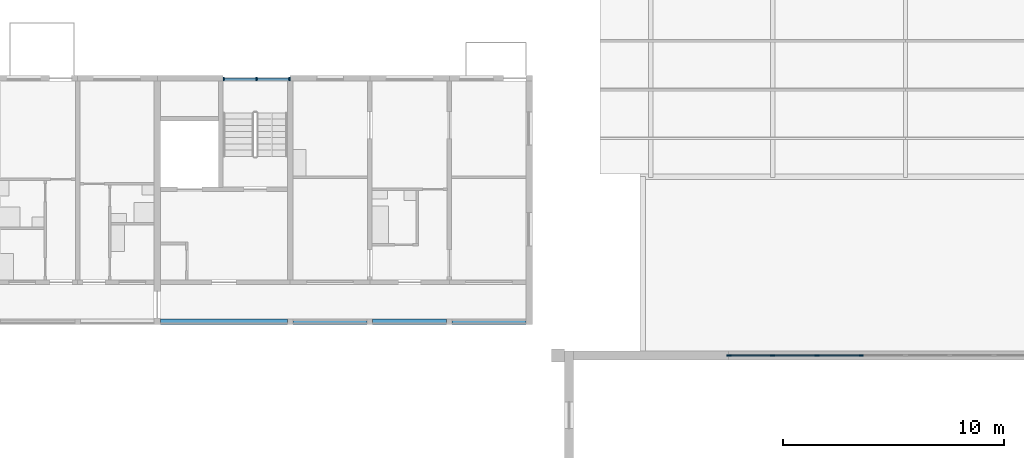
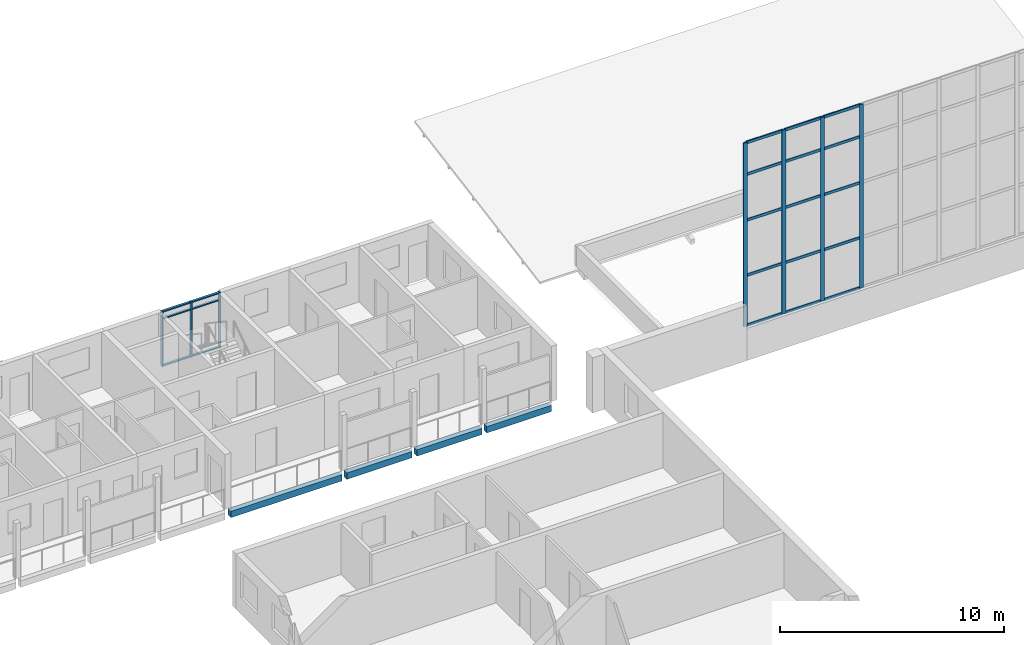
# One storey, part 19 of 122: 28 members, 4 beams, 2 elements without a shape of their own.
"""IFC4 building model written with IfcOpenShell, lengths in metres."""

from ifc_helpers import new_model, si_unit, direction, frame, origin, origin_2d, place, context, subcontext, project, spatial, rectangle, extrude, material, layer, layer_set, material_profile, profile_set, type_object, element, aggregate, save


model = new_model("IFC4")

# Units and contexts
model_context = context("Model", 3, precision=1e-05, world=origin(), true_north=direction((0.0, 1.0)))
body_context = subcontext(model_context, "Body", "Model", "MODEL_VIEW")
ifc_project = project(units=[si_unit("LENGTHUNIT", "METRE"), si_unit("AREAUNIT", "SQUARE_METRE"), si_unit("VOLUMEUNIT", "CUBIC_METRE"), si_unit("PLANEANGLEUNIT", "RADIAN"), si_unit("MASSUNIT", "GRAM", prefix="KILO")], contexts=[model_context])

# Site, building, storey
site_placement = place(None, origin())
site = spatial("IfcSite", under=ifc_project, at=site_placement, CompositionType="ELEMENT")
building_placement = place(site_placement, origin())
building = spatial("IfcBuilding", under=site, at=building_placement, Name="Ridgestep Commons", CompositionType="ELEMENT")
storey_placement = place(building_placement, frame((0.0, 0.0, 3.0)))
storey = spatial("IfcBuildingStorey", under=building, at=storey_placement, Name="L01", CompositionType="ELEMENT", Elevation=3.0)

# Curtain wall, members
ifc_material_1 = material(Name="Aluminium and glass", Category="aluminium")
ifc_layer = layer(ifc_material_1, 0.199951171875)
ifc_layer_set = layer_set([ifc_layer], Name="Hall gable curtain wall")
curtain_wall_type_1 = type_object("IfcCurtainWallType", Name="Hall gable curtain wall", PredefinedType="NOTDEFINED", material=ifc_layer_set)
curtain_wall_1_placement = place(storey_placement, origin())
curtain_wall_1 = element("IfcCurtainWall", 1, at=curtain_wall_1_placement, inside=storey, type_object=curtain_wall_type_1, Name="Hall gable curtain wall", PredefinedType="NOTDEFINED")
ifc_material_2 = material(Name="Aluminium", Category="aluminium")
ifc_material_profile_1 = material_profile(ifc_material_2, rectangle(XDim=0.06005859375, YDim=0.199951171875, at=origin_2d()), Name="Hall mullion 60 x 200")
ifc_profile_set_1 = profile_set([ifc_material_profile_1], Name="Aluminium")
member_type_1 = type_object("IfcMemberType", Name="Hall mullion 60 x 200", PredefinedType="MULLION", material=ifc_profile_set_1)
member_1_placement = place(storey_placement, frame((121.830078125, 64.60009765625, 1.75), z_axis=(0.0, 0.0, 1.0), x_axis=(0.0, 1.0, 0.0)))
member_1 = element("IfcMember", 2, at=member_1_placement, type_object=member_type_1, Name="CW4 mullion 1", PredefinedType="MULLION", context=body_context, shape_type="SweptSolid", body=[
    extrude(rectangle(XDim=0.06005859375, YDim=0.199951171875, at=origin_2d()), origin(), (0.0, 0.0, 1.0), 10.0),
])
member_2_placement = place(storey_placement, frame((123.800048828125, 64.60009765625, 1.75), z_axis=(0.0, 0.0, 1.0), x_axis=(0.0, 1.0, 0.0)))
member_2 = element("IfcMember", 3, at=member_2_placement, type_object=member_type_1, Name="CW4 mullion 2", PredefinedType="MULLION", context=body_context, shape_type="SweptSolid", body=[
    extrude(rectangle(XDim=0.06005859375, YDim=0.199951171875, at=origin_2d()), origin(), (0.0, 0.0, 1.0), 10.0),
])
member_3_placement = place(storey_placement, frame((125.800048828125, 64.60009765625, 1.75), z_axis=(0.0, 0.0, 1.0), x_axis=(0.0, 1.0, 0.0)))
member_3 = element("IfcMember", 4, at=member_3_placement, type_object=member_type_1, Name="CW4 mullion 3", PredefinedType="MULLION", context=body_context, shape_type="SweptSolid", body=[
    extrude(rectangle(XDim=0.06005859375, YDim=0.199951171875, at=origin_2d()), origin(), (0.0, 0.0, 1.0), 10.0),
])
member_4_placement = place(storey_placement, frame((127.800048828125, 64.60009765625, 1.75), z_axis=(0.0, 0.0, 1.0), x_axis=(0.0, 1.0, 0.0)))
member_4 = element("IfcMember", 5, at=member_4_placement, type_object=member_type_1, Name="CW4 mullion 4", PredefinedType="MULLION", context=body_context, shape_type="SweptSolid", body=[
    extrude(rectangle(XDim=0.06005859375, YDim=0.199951171875, at=origin_2d()), origin(), (0.0, 0.0, 1.0), 10.0),
])
ifc_material_3 = material(Name="Aluminium", Category="aluminium")
ifc_material_profile_2 = material_profile(ifc_material_3, rectangle(XDim=0.06005859375, YDim=0.14990234375, at=origin_2d()), Name="Hall transom 60 x 150")
ifc_profile_set_2 = profile_set([ifc_material_profile_2], Name="Aluminium")
member_type_2 = type_object("IfcMemberType", Name="Hall transom 60 x 150", PredefinedType="USERDEFINED", material=ifc_profile_set_2)
member_5_placement = place(storey_placement, frame((121.860107421875, 64.60009765625, 1.780029296875), z_axis=(1.0, 0.0, 0.0), x_axis=(0.0, 1.0, 0.0)))
member_5 = element("IfcMember", 6, at=member_5_placement, type_object=member_type_2, Name="CW4 transom 1.1", ObjectType="TRANSOM", PredefinedType="USERDEFINED", context=body_context, shape_type="SweptSolid", body=[
    extrude(rectangle(XDim=0.06005859375, YDim=0.14990234375, at=origin_2d()), origin(), (0.0, 0.0, 1.0), 1.909912109375),
])
member_6_placement = place(storey_placement, frame((121.860107421875, 64.60009765625, 4.5), z_axis=(1.0, 0.0, 0.0), x_axis=(0.0, 1.0, 0.0)))
member_6 = element("IfcMember", 7, at=member_6_placement, type_object=member_type_2, Name="CW4 transom 1.2", ObjectType="TRANSOM", PredefinedType="USERDEFINED", context=body_context, shape_type="SweptSolid", body=[
    extrude(rectangle(XDim=0.06005859375, YDim=0.14990234375, at=origin_2d()), origin(), (0.0, 0.0, 1.0), 1.909912109375),
])
member_7_placement = place(storey_placement, frame((121.860107421875, 64.60009765625, 7.5), z_axis=(1.0, 0.0, 0.0), x_axis=(0.0, 1.0, 0.0)))
member_7 = element("IfcMember", 8, at=member_7_placement, type_object=member_type_2, Name="CW4 transom 1.3", ObjectType="TRANSOM", PredefinedType="USERDEFINED", context=body_context, shape_type="SweptSolid", body=[
    extrude(rectangle(XDim=0.06005859375, YDim=0.14990234375, at=origin_2d()), origin(), (0.0, 0.0, 1.0), 1.909912109375),
])
member_8_placement = place(storey_placement, frame((121.860107421875, 64.60009765625, 10.0), z_axis=(1.0, 0.0, 0.0), x_axis=(0.0, 1.0, 0.0)))
member_8 = element("IfcMember", 9, at=member_8_placement, type_object=member_type_2, Name="CW4 transom 1.4", ObjectType="TRANSOM", PredefinedType="USERDEFINED", context=body_context, shape_type="SweptSolid", body=[
    extrude(rectangle(XDim=0.06005859375, YDim=0.14990234375, at=origin_2d()), origin(), (0.0, 0.0, 1.0), 1.909912109375),
])
member_9_placement = place(storey_placement, frame((121.860107421875, 64.60009765625, 11.719970703125), z_axis=(1.0, 0.0, 0.0), x_axis=(0.0, 1.0, 0.0)))
member_9 = element("IfcMember", 10, at=member_9_placement, type_object=member_type_2, Name="CW4 transom 1.5", ObjectType="TRANSOM", PredefinedType="USERDEFINED", context=body_context, shape_type="SweptSolid", body=[
    extrude(rectangle(XDim=0.06005859375, YDim=0.14990234375, at=origin_2d()), origin(), (0.0, 0.0, 1.0), 1.909912109375),
])
member_10_placement = place(storey_placement, frame((123.830078125, 64.60009765625, 1.780029296875), z_axis=(1.0, 0.0, 0.0), x_axis=(0.0, 1.0, 0.0)))
member_10 = element("IfcMember", 11, at=member_10_placement, type_object=member_type_2, Name="CW4 transom 2.1", ObjectType="TRANSOM", PredefinedType="USERDEFINED", context=body_context, shape_type="SweptSolid", body=[
    extrude(rectangle(XDim=0.06005859375, YDim=0.14990234375, at=origin_2d()), origin(), (0.0, 0.0, 1.0), 1.93994140625),
])
member_11_placement = place(storey_placement, frame((123.830078125, 64.60009765625, 4.5), z_axis=(1.0, 0.0, 0.0), x_axis=(0.0, 1.0, 0.0)))
member_11 = element("IfcMember", 12, at=member_11_placement, type_object=member_type_2, Name="CW4 transom 2.2", ObjectType="TRANSOM", PredefinedType="USERDEFINED", context=body_context, shape_type="SweptSolid", body=[
    extrude(rectangle(XDim=0.06005859375, YDim=0.14990234375, at=origin_2d()), origin(), (0.0, 0.0, 1.0), 1.93994140625),
])
member_12_placement = place(storey_placement, frame((123.830078125, 64.60009765625, 7.5), z_axis=(1.0, 0.0, 0.0), x_axis=(0.0, 1.0, 0.0)))
member_12 = element("IfcMember", 13, at=member_12_placement, type_object=member_type_2, Name="CW4 transom 2.3", ObjectType="TRANSOM", PredefinedType="USERDEFINED", context=body_context, shape_type="SweptSolid", body=[
    extrude(rectangle(XDim=0.06005859375, YDim=0.14990234375, at=origin_2d()), origin(), (0.0, 0.0, 1.0), 1.93994140625),
])
member_13_placement = place(storey_placement, frame((123.830078125, 64.60009765625, 10.0), z_axis=(1.0, 0.0, 0.0), x_axis=(0.0, 1.0, 0.0)))
member_13 = element("IfcMember", 14, at=member_13_placement, type_object=member_type_2, Name="CW4 transom 2.4", ObjectType="TRANSOM", PredefinedType="USERDEFINED", context=body_context, shape_type="SweptSolid", body=[
    extrude(rectangle(XDim=0.06005859375, YDim=0.14990234375, at=origin_2d()), origin(), (0.0, 0.0, 1.0), 1.93994140625),
])
member_14_placement = place(storey_placement, frame((123.830078125, 64.60009765625, 11.719970703125), z_axis=(1.0, 0.0, 0.0), x_axis=(0.0, 1.0, 0.0)))
member_14 = element("IfcMember", 15, at=member_14_placement, type_object=member_type_2, Name="CW4 transom 2.5", ObjectType="TRANSOM", PredefinedType="USERDEFINED", context=body_context, shape_type="SweptSolid", body=[
    extrude(rectangle(XDim=0.06005859375, YDim=0.14990234375, at=origin_2d()), origin(), (0.0, 0.0, 1.0), 1.93994140625),
])
member_15_placement = place(storey_placement, frame((125.830078125, 64.60009765625, 1.780029296875), z_axis=(1.0, 0.0, 0.0), x_axis=(0.0, 1.0, 0.0)))
member_15 = element("IfcMember", 16, at=member_15_placement, type_object=member_type_2, Name="CW4 transom 3.1", ObjectType="TRANSOM", PredefinedType="USERDEFINED", context=body_context, shape_type="SweptSolid", body=[
    extrude(rectangle(XDim=0.06005859375, YDim=0.14990234375, at=origin_2d()), origin(), (0.0, 0.0, 1.0), 1.93994140625),
])
member_16_placement = place(storey_placement, frame((125.830078125, 64.60009765625, 4.5), z_axis=(1.0, 0.0, 0.0), x_axis=(0.0, 1.0, 0.0)))
member_16 = element("IfcMember", 17, at=member_16_placement, type_object=member_type_2, Name="CW4 transom 3.2", ObjectType="TRANSOM", PredefinedType="USERDEFINED", context=body_context, shape_type="SweptSolid", body=[
    extrude(rectangle(XDim=0.06005859375, YDim=0.14990234375, at=origin_2d()), origin(), (0.0, 0.0, 1.0), 1.93994140625),
])
member_17_placement = place(storey_placement, frame((125.830078125, 64.60009765625, 7.5), z_axis=(1.0, 0.0, 0.0), x_axis=(0.0, 1.0, 0.0)))
member_17 = element("IfcMember", 18, at=member_17_placement, type_object=member_type_2, Name="CW4 transom 3.3", ObjectType="TRANSOM", PredefinedType="USERDEFINED", context=body_context, shape_type="SweptSolid", body=[
    extrude(rectangle(XDim=0.06005859375, YDim=0.14990234375, at=origin_2d()), origin(), (0.0, 0.0, 1.0), 1.93994140625),
])
member_18_placement = place(storey_placement, frame((125.830078125, 64.60009765625, 10.0), z_axis=(1.0, 0.0, 0.0), x_axis=(0.0, 1.0, 0.0)))
member_18 = element("IfcMember", 19, at=member_18_placement, type_object=member_type_2, Name="CW4 transom 3.4", ObjectType="TRANSOM", PredefinedType="USERDEFINED", context=body_context, shape_type="SweptSolid", body=[
    extrude(rectangle(XDim=0.06005859375, YDim=0.14990234375, at=origin_2d()), origin(), (0.0, 0.0, 1.0), 1.93994140625),
])
member_19_placement = place(storey_placement, frame((125.830078125, 64.60009765625, 11.719970703125), z_axis=(1.0, 0.0, 0.0), x_axis=(0.0, 1.0, 0.0)))
member_19 = element("IfcMember", 20, at=member_19_placement, type_object=member_type_2, Name="CW4 transom 3.5", ObjectType="TRANSOM", PredefinedType="USERDEFINED", context=body_context, shape_type="SweptSolid", body=[
    extrude(rectangle(XDim=0.06005859375, YDim=0.14990234375, at=origin_2d()), origin(), (0.0, 0.0, 1.0), 1.93994140625),
])
aggregate(curtain_wall_1, [member_1, member_2, member_3, member_4, member_5, member_6, member_7, member_8, member_9, member_10, member_11, member_12, member_13, member_14, member_15, member_16, member_17, member_18, member_19])

# Beams
ifc_material_4 = material(Name="Precast concrete C40/50", Category="concrete")
ifc_material_profile_3 = material_profile(ifc_material_4, rectangle(XDim=0.25, YDim=0.35009765625, at=origin_2d()), Name="PC 250x350")
ifc_profile_set_3 = profile_set([ifc_material_profile_3], Name="Precast concrete C40/50")
beam_type = type_object("IfcBeamType", Name="Loggia edge beam 250 x 350", PredefinedType="SPANDREL", material=ifc_profile_set_3)
beam_1_placement = place(storey_placement, frame((96.14990234375, 66.125, -0.375), z_axis=(1.0, 0.0, 0.0), x_axis=(0.0, 1.0, 0.0)))
element("IfcBeam", 21, at=beam_1_placement, inside=storey, type_object=beam_type, Name="Loggia edge beam B6C L01", PredefinedType="SPANDREL", context=body_context, shape_type="SweptSolid", body=[
    extrude(rectangle(XDim=0.25, YDim=0.35009765625, at=origin_2d()), origin(), (0.0, 0.0, 1.0), 5.72509765625),
])
beam_2_placement = place(storey_placement, frame((102.125, 66.125, -0.375), z_axis=(1.0, 0.0, 0.0), x_axis=(0.0, 1.0, 0.0)))
element("IfcBeam", 22, at=beam_2_placement, inside=storey, type_object=beam_type, Name="Loggia edge beam B6T3 L01", PredefinedType="SPANDREL", context=body_context, shape_type="SweptSolid", body=[
    extrude(rectangle(XDim=0.25, YDim=0.35009765625, at=origin_2d()), origin(), (0.0, 0.0, 1.0), 3.35009765625),
])
beam_3_placement = place(storey_placement, frame((105.72509765625, 66.125, -0.375), z_axis=(1.0, 0.0, 0.0), x_axis=(0.0, 1.0, 0.0)))
element("IfcBeam", 23, at=beam_3_placement, inside=storey, type_object=beam_type, Name="Loggia edge beam B6T2 L01", PredefinedType="SPANDREL", context=body_context, shape_type="SweptSolid", body=[
    extrude(rectangle(XDim=0.25, YDim=0.35009765625, at=origin_2d()), origin(), (0.0, 0.0, 1.0), 3.349853515625),
])
beam_4_placement = place(storey_placement, frame((109.324951171875, 66.125, -0.375), z_axis=(1.0, 0.0, 0.0), x_axis=(0.0, 1.0, 0.0)))
element("IfcBeam", 24, at=beam_4_placement, inside=storey, type_object=beam_type, Name="Loggia edge beam B6T1 L01", PredefinedType="SPANDREL", context=body_context, shape_type="SweptSolid", body=[
    extrude(rectangle(XDim=0.25, YDim=0.35009765625, at=origin_2d()), origin(), (0.0, 0.0, 1.0), 3.324951171875),
])

# Curtain wall, members
ifc_material_5 = material(Name="Aluminium 6063-T6 and glass", Category="aluminium")
curtain_wall_type_2 = type_object("IfcCurtainWallType", Name="Curtain wall stair strip", PredefinedType="NOTDEFINED", material=ifc_material_5)
curtain_wall_2_placement = place(storey_placement, origin())
curtain_wall_2 = element("IfcCurtainWall", 25, at=curtain_wall_2_placement, inside=storey, type_object=curtain_wall_type_2, Name="Curtain wall B6C level 01", PredefinedType="NOTDEFINED")
ifc_material_6 = material(Name="Aluminium 6063-T6", Category="aluminium")
ifc_material_profile_4 = material_profile(ifc_material_6, rectangle(XDim=0.159912109375, YDim=0.06005859375, at=origin_2d()), Name="Mullion 60 x 160")
ifc_profile_set_4 = profile_set([ifc_material_profile_4], Name="Aluminium 6063-T6")
member_type_3 = type_object("IfcMemberType", Name="Mullion 60 x 160", PredefinedType="MULLION", material=ifc_profile_set_4)
member_20_placement = place(storey_placement, frame((99.0048828125, 77.080078125, 0.0), z_axis=(0.0, 0.0, 1.0), x_axis=(0.0, 1.0, 0.0)))
member_20 = element("IfcMember", 26, at=member_20_placement, type_object=member_type_3, Name="CW1 mullion 1", PredefinedType="MULLION", context=body_context, shape_type="SweptSolid", body=[
    extrude(rectangle(XDim=0.159912109375, YDim=0.06005859375, at=origin_2d()), origin(), (0.0, 0.0, 1.0), 3.0),
])
member_21_placement = place(storey_placement, frame((100.487548828125, 77.080078125, 0.0), z_axis=(0.0, 0.0, 1.0), x_axis=(0.0, 1.0, 0.0)))
member_21 = element("IfcMember", 27, at=member_21_placement, type_object=member_type_3, Name="CW1 mullion 2", PredefinedType="MULLION", context=body_context, shape_type="SweptSolid", body=[
    extrude(rectangle(XDim=0.159912109375, YDim=0.06005859375, at=origin_2d()), origin(), (0.0, 0.0, 1.0), 3.0),
])
member_22_placement = place(storey_placement, frame((101.969970703125, 77.080078125, 0.0), z_axis=(0.0, 0.0, 1.0), x_axis=(0.0, 1.0, 0.0)))
member_22 = element("IfcMember", 28, at=member_22_placement, type_object=member_type_3, Name="CW1 mullion 3", PredefinedType="MULLION", context=body_context, shape_type="SweptSolid", body=[
    extrude(rectangle(XDim=0.159912109375, YDim=0.06005859375, at=origin_2d()), origin(), (0.0, 0.0, 1.0), 3.0),
])
ifc_material_7 = material(Name="Aluminium 6063-T6", Category="aluminium")
ifc_material_profile_5 = material_profile(ifc_material_7, rectangle(XDim=0.1201171875, YDim=0.06005859375, at=origin_2d()), Name="Transom 60 x 120")
ifc_profile_set_5 = profile_set([ifc_material_profile_5], Name="Aluminium 6063-T6")
member_type_4 = type_object("IfcMemberType", Name="Transom 60 x 120", PredefinedType="USERDEFINED", material=ifc_profile_set_5)
member_23_placement = place(storey_placement, frame((99.034912109375, 77.080078125, 0.030029296875), z_axis=(1.0, 0.0, 0.0), x_axis=(0.0, 1.0, 0.0)))
member_23 = element("IfcMember", 29, at=member_23_placement, type_object=member_type_4, Name="CW1 transom 1.1", ObjectType="TRANSOM", PredefinedType="USERDEFINED", context=body_context, shape_type="SweptSolid", body=[
    extrude(rectangle(XDim=0.1201171875, YDim=0.06005859375, at=origin_2d()), origin(), (0.0, 0.0, 1.0), 1.422607421875),
])
member_24_placement = place(storey_placement, frame((99.034912109375, 77.080078125, 2.590087890625), z_axis=(1.0, 0.0, 0.0), x_axis=(0.0, 1.0, 0.0)))
member_24 = element("IfcMember", 30, at=member_24_placement, type_object=member_type_4, Name="CW1 transom 1.2", ObjectType="TRANSOM", PredefinedType="USERDEFINED", context=body_context, shape_type="SweptSolid", body=[
    extrude(rectangle(XDim=0.1201171875, YDim=0.06005859375, at=origin_2d()), origin(), (0.0, 0.0, 1.0), 1.422607421875),
])
member_25_placement = place(storey_placement, frame((99.034912109375, 77.080078125, 2.969970703125), z_axis=(1.0, 0.0, 0.0), x_axis=(0.0, 1.0, 0.0)))
member_25 = element("IfcMember", 31, at=member_25_placement, type_object=member_type_4, Name="CW1 transom 1.3", ObjectType="TRANSOM", PredefinedType="USERDEFINED", context=body_context, shape_type="SweptSolid", body=[
    extrude(rectangle(XDim=0.1201171875, YDim=0.06005859375, at=origin_2d()), origin(), (0.0, 0.0, 1.0), 1.422607421875),
])
member_26_placement = place(storey_placement, frame((100.517578125, 77.080078125, 0.030029296875), z_axis=(1.0, 0.0, 0.0), x_axis=(0.0, 1.0, 0.0)))
member_26 = element("IfcMember", 32, at=member_26_placement, type_object=member_type_4, Name="CW1 transom 2.1", ObjectType="TRANSOM", PredefinedType="USERDEFINED", context=body_context, shape_type="SweptSolid", body=[
    extrude(rectangle(XDim=0.1201171875, YDim=0.06005859375, at=origin_2d()), origin(), (0.0, 0.0, 1.0), 1.42236328125),
])
member_27_placement = place(storey_placement, frame((100.517578125, 77.080078125, 2.590087890625), z_axis=(1.0, 0.0, 0.0), x_axis=(0.0, 1.0, 0.0)))
member_27 = element("IfcMember", 33, at=member_27_placement, type_object=member_type_4, Name="CW1 transom 2.2", ObjectType="TRANSOM", PredefinedType="USERDEFINED", context=body_context, shape_type="SweptSolid", body=[
    extrude(rectangle(XDim=0.1201171875, YDim=0.06005859375, at=origin_2d()), origin(), (0.0, 0.0, 1.0), 1.42236328125),
])
member_28_placement = place(storey_placement, frame((100.517578125, 77.080078125, 2.969970703125), z_axis=(1.0, 0.0, 0.0), x_axis=(0.0, 1.0, 0.0)))
member_28 = element("IfcMember", 34, at=member_28_placement, type_object=member_type_4, Name="CW1 transom 2.3", ObjectType="TRANSOM", PredefinedType="USERDEFINED", context=body_context, shape_type="SweptSolid", body=[
    extrude(rectangle(XDim=0.1201171875, YDim=0.06005859375, at=origin_2d()), origin(), (0.0, 0.0, 1.0), 1.42236328125),
])
aggregate(curtain_wall_2, [member_20, member_21, member_22, member_23, member_24, member_25, member_26, member_27, member_28])

save(model, "model.ifc")
